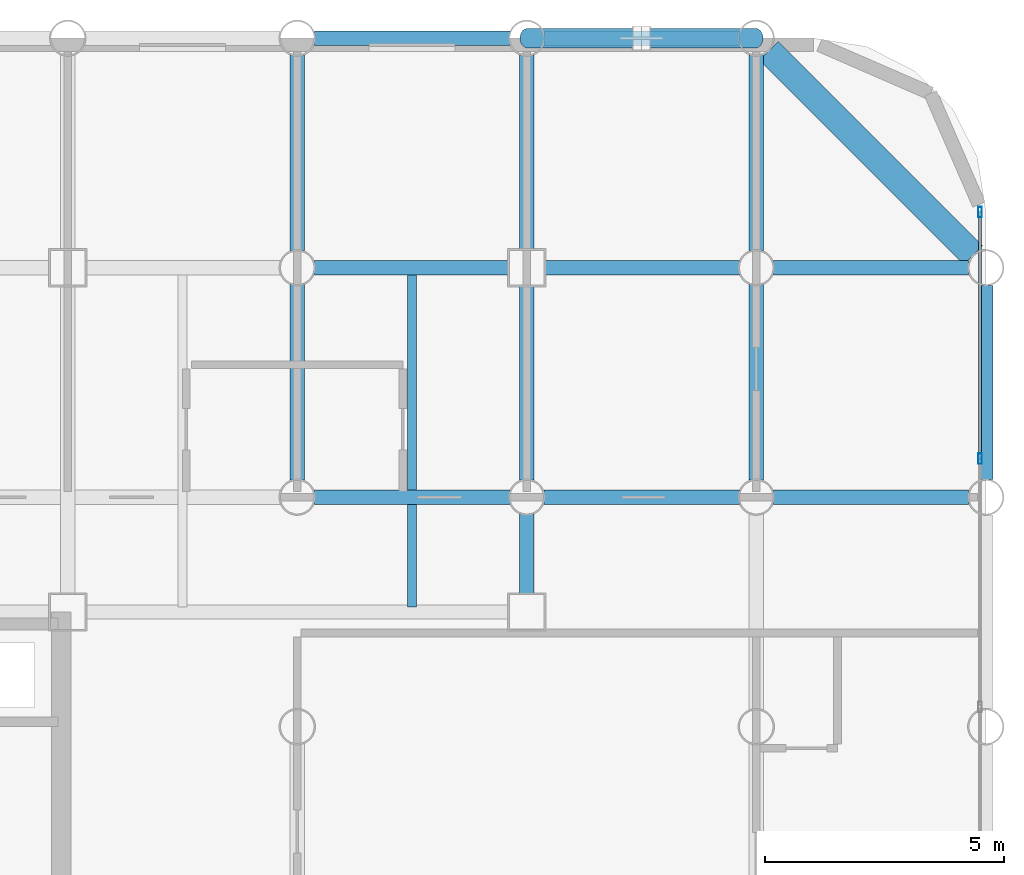
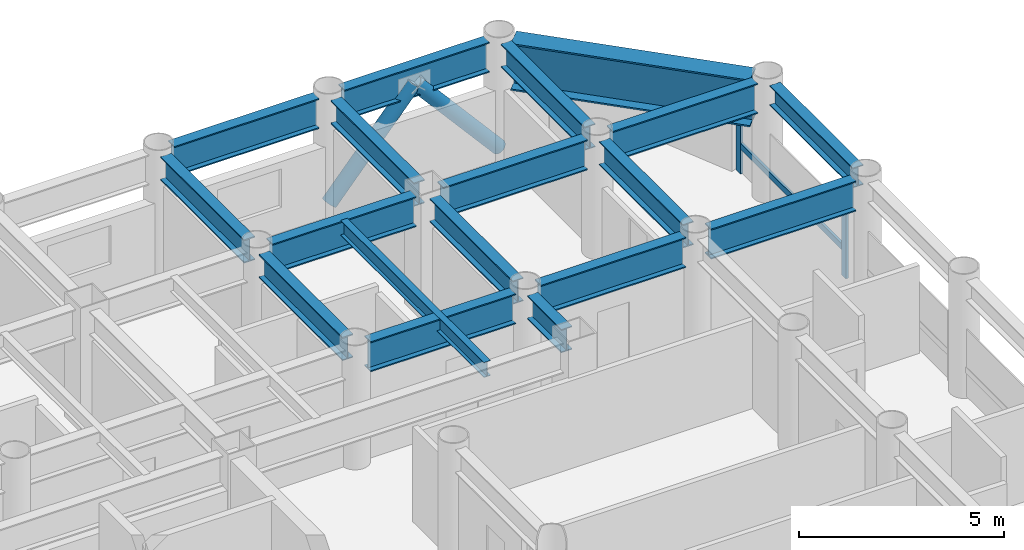
# One storey, part 13 of 20: 18 beams, 5 members, 1 element without a shape of its own.
"""IFC4 building model written with IfcOpenShell, lengths in metres."""

from ifc_helpers import new_model, si_unit, direction, frame, origin, origin_2d, place, context, subcontext, project, spatial, hollow_rectangle, hollow_circle, i_section, extrude, material, layer, layer_set, material_profile, profile_set, type_object, element, aggregate, save


model = new_model("IFC4")

# Units and contexts
model_context = context("Model", 3, precision=1e-05, world=origin(), true_north=direction((0.0, 1.0)))
body_context = subcontext(model_context, "Body", "Model", "MODEL_VIEW")
ifc_project = project(units=[si_unit("LENGTHUNIT", "METRE"), si_unit("AREAUNIT", "SQUARE_METRE"), si_unit("VOLUMEUNIT", "CUBIC_METRE"), si_unit("PLANEANGLEUNIT", "RADIAN"), si_unit("MASSUNIT", "GRAM", prefix="KILO")], contexts=[model_context])

# Site, building, storey
site_placement = place(None, origin())
site = spatial("IfcSite", under=ifc_project, at=site_placement, CompositionType="ELEMENT")
building_placement = place(site_placement, origin())
building = spatial("IfcBuilding", under=site, at=building_placement, Name="Kallvorn Hotel Tower", CompositionType="ELEMENT")
storey_placement = place(building_placement, frame((0.0, 0.0, 78.10009765625)))
storey = spatial("IfcBuildingStorey", under=building, at=storey_placement, Name="L18", CompositionType="ELEMENT", Elevation=78.10009765625)

# Beams
ifc_material_1 = material(Name="Structural steel S355JR", Category="steel")
ifc_material_profile_1 = material_profile(ifc_material_1, i_section(OverallWidth=0.300048828125, OverallDepth=0.60009765625, WebThickness=0.015380859375, FlangeThickness=0.030029296875, at=origin_2d()), Name="HE 600 B")
ifc_profile_set_1 = profile_set([ifc_material_profile_1], Name="Structural steel S355JR")
beam_type_1 = type_object("IfcBeamType", Name="BM_HE600B", PredefinedType="SPANDREL", material=ifc_profile_set_1)
beam_1_placement = place(storey_placement, frame((33.60009765625, 9.970947265625, 3.219970703125), z_axis=(0.0, 1.0, 0.0), x_axis=(-1.0, 0.0, 0.0)))
element("IfcBeam", 1, at=beam_1_placement, inside=storey, type_object=beam_type_1, Name="L19 Perimeter Spandrel 188", PredefinedType="SPANDREL", context=body_context, shape_type="SweptSolid", body=[
    extrude(i_section(OverallWidth=0.300048828125, OverallDepth=0.60009765625, WebThickness=0.015380859375, FlangeThickness=0.030029296875, at=origin_2d()), origin(), (0.0, 0.0, 1.0), 4.05810546875),
])
ifc_material_2 = material(Name="Structural steel S355JR", Category="steel")
ifc_material_profile_2 = material_profile(ifc_material_2, i_section(OverallWidth=0.300048828125, OverallDepth=0.699951171875, WebThickness=0.01708984375, FlangeThickness=0.031982421875, at=origin_2d()), Name="HE 700 B")
ifc_profile_set_2 = profile_set([ifc_material_profile_2], Name="Structural steel S355JR")
beam_type_2 = type_object("IfcBeamType", Name="BM_HE700B", PredefinedType="BEAM", material=ifc_profile_set_2)
for number, where, z_axis, x_axis, name in (
    (2, (19.199951171875, 9.9560546875, 3.169921875), (0.0, 1.0, 0.0), (-1.0, 0.0, 0.0), "L19 Primary Y-Girder 133"),
    (3, (19.199951171875, 14.756103515625, 3.169921875), (0.0, 1.0, 0.0), (-1.0, 0.0, 0.0), "L19 Primary Y-Girder 134"),
):
    element("IfcBeam", number, at=place(storey_placement, frame(where, z_axis=z_axis, x_axis=x_axis)), inside=storey, type_object=beam_type_2, Name=name, PredefinedType="BEAM", context=body_context, shape_type="SweptSolid", body=[
        extrude(i_section(OverallWidth=0.300048828125, OverallDepth=0.699951171875, WebThickness=0.01708984375, FlangeThickness=0.031982421875, at=origin_2d()), origin(), (0.0, 0.0, 1.0), 4.087890625),
    ])
beam_2_placement = place(storey_placement, frame((24.0, 7.574951171875, 3.169921875), z_axis=(0.0, 1.0, 0.0), x_axis=(-1.0, 0.0, 0.0)))
element("IfcBeam", 4, at=beam_2_placement, inside=storey, type_object=beam_type_2, Name="L19 Primary Y-Girder 139", PredefinedType="BEAM", context=body_context, shape_type="SweptSolid", body=[
    extrude(i_section(OverallWidth=0.300048828125, OverallDepth=0.699951171875, WebThickness=0.01708984375, FlangeThickness=0.031982421875, at=origin_2d()), origin(), (0.0, 0.0, 1.0), 1.6689453125),
])
beam_3_placement = place(storey_placement, frame((24.0, 9.9560546875, 3.169921875), z_axis=(0.0, 1.0, 0.0), x_axis=(-1.0, 0.0, 0.0)))
element("IfcBeam", 5, at=beam_3_placement, inside=storey, type_object=beam_type_2, Name="L19 Primary Y-Girder 140", PredefinedType="BEAM", context=body_context, shape_type="SweptSolid", body=[
    extrude(i_section(OverallWidth=0.300048828125, OverallDepth=0.699951171875, WebThickness=0.01708984375, FlangeThickness=0.031982421875, at=origin_2d()), origin(), (0.0, 0.0, 1.0), 4.06884765625),
])
beam_4_placement = place(storey_placement, frame((24.0, 14.77490234375, 3.169921875), z_axis=(0.0, 1.0, 0.0), x_axis=(-1.0, 0.0, 0.0)))
element("IfcBeam", 6, at=beam_4_placement, inside=storey, type_object=beam_type_2, Name="L19 Primary Y-Girder 141", PredefinedType="BEAM", context=body_context, shape_type="SweptSolid", body=[
    extrude(i_section(OverallWidth=0.300048828125, OverallDepth=0.699951171875, WebThickness=0.01708984375, FlangeThickness=0.031982421875, at=origin_2d()), origin(), (0.0, 0.0, 1.0), 4.069091796875),
])
for number, where, z_axis, x_axis, name in (
    (7, (28.800048828125, 9.9560546875, 3.169921875), (0.0, 1.0, 0.0), (-1.0, 0.0, 0.0), "L19 Primary Y-Girder 149"),
    (8, (28.800048828125, 14.756103515625, 3.169921875), (0.0, 1.0, 0.0), (-1.0, 0.0, 0.0), "L19 Primary Y-Girder 150"),
):
    element("IfcBeam", number, at=place(storey_placement, frame(where, z_axis=z_axis, x_axis=x_axis)), inside=storey, type_object=beam_type_2, Name=name, PredefinedType="BEAM", context=body_context, shape_type="SweptSolid", body=[
        extrude(i_section(OverallWidth=0.300048828125, OverallDepth=0.699951171875, WebThickness=0.01708984375, FlangeThickness=0.031982421875, at=origin_2d()), origin(), (0.0, 0.0, 1.0), 4.087890625),
    ])
ifc_material_3 = material(Name="Structural steel S355JR", Category="steel")
ifc_material_profile_3 = material_profile(ifc_material_3, i_section(OverallWidth=0.300048828125, OverallDepth=0.89990234375, WebThickness=0.0185546875, FlangeThickness=0.034912109375, at=origin_2d()), Name="HE 900 B")
ifc_profile_set_3 = profile_set([ifc_material_profile_3], Name="Structural steel S355JR")
beam_type_3 = type_object("IfcBeamType", Name="BM_HE900B", PredefinedType="BEAM", material=ifc_profile_set_3)
for number, where, z_axis, x_axis, name in (
    (9, (19.555908203125, 9.60009765625, 3.06982421875), (1.0, 0.0, 0.0), (0.0, 1.0, 0.0), "L19 Primary X-Girder 48"),
    (10, (24.35595703125, 9.60009765625, 3.06982421875), (1.0, 0.0, 0.0), (0.0, 1.0, 0.0), "L19 Primary X-Girder 49"),
):
    element("IfcBeam", number, at=place(storey_placement, frame(where, z_axis=z_axis, x_axis=x_axis)), inside=storey, type_object=beam_type_3, Name=name, PredefinedType="BEAM", context=body_context, shape_type="SweptSolid", body=[
        extrude(i_section(OverallWidth=0.300048828125, OverallDepth=0.89990234375, WebThickness=0.0185546875, FlangeThickness=0.034912109375, at=origin_2d()), origin(), (0.0, 0.0, 1.0), 4.088134765625),
    ])
beam_5_placement = place(storey_placement, frame((29.156005859375, 9.60009765625, 3.06982421875), z_axis=(1.0, 0.0, 0.0), x_axis=(0.0, 1.0, 0.0)))
element("IfcBeam", 11, at=beam_5_placement, inside=storey, type_object=beam_type_3, Name="L19 Primary X-Girder 50", PredefinedType="BEAM", context=body_context, shape_type="SweptSolid", body=[
    extrude(i_section(OverallWidth=0.300048828125, OverallDepth=0.89990234375, WebThickness=0.0185546875, FlangeThickness=0.034912109375, at=origin_2d()), origin(), (0.0, 0.0, 1.0), 4.087890625),
])
for number, where, z_axis, x_axis, name in (
    (12, (19.555908203125, 14.39990234375, 3.06982421875), (1.0, 0.0, 0.0), (0.0, 1.0, 0.0), "L19 Primary X-Girder 58"),
    (13, (24.375, 14.39990234375, 3.06982421875), (1.0, 0.0, 0.0), (0.0, 1.0, 0.0), "L19 Primary X-Girder 59"),
):
    element("IfcBeam", number, at=place(storey_placement, frame(where, z_axis=z_axis, x_axis=x_axis)), inside=storey, type_object=beam_type_3, Name=name, PredefinedType="BEAM", context=body_context, shape_type="SweptSolid", body=[
        extrude(i_section(OverallWidth=0.300048828125, OverallDepth=0.89990234375, WebThickness=0.0185546875, FlangeThickness=0.034912109375, at=origin_2d()), origin(), (0.0, 0.0, 1.0), 4.069091796875),
    ])
beam_6_placement = place(storey_placement, frame((29.156005859375, 14.39990234375, 3.06982421875), z_axis=(1.0, 0.0, 0.0), x_axis=(0.0, 1.0, 0.0)))
element("IfcBeam", 14, at=beam_6_placement, inside=storey, type_object=beam_type_3, Name="L19 Primary X-Girder 60", PredefinedType="BEAM", context=body_context, shape_type="SweptSolid", body=[
    extrude(i_section(OverallWidth=0.300048828125, OverallDepth=0.89990234375, WebThickness=0.0185546875, FlangeThickness=0.034912109375, at=origin_2d()), origin(), (0.0, 0.0, 1.0), 4.087890625),
])
for number, where, z_axis, x_axis, name in (
    (15, (19.555908203125, 19.199951171875, 3.06982421875), (1.0, 0.0, 0.0), (0.0, 1.0, 0.0), "L19 Primary X-Girder 71"),
    (16, (24.35595703125, 19.199951171875, 3.06982421875), (1.0, 0.0, 0.0), (0.0, 1.0, 0.0), "L19 Primary X-Girder 72"),
):
    element("IfcBeam", number, at=place(storey_placement, frame(where, z_axis=z_axis, x_axis=x_axis)), inside=storey, type_object=beam_type_3, Name=name, PredefinedType="BEAM", context=body_context, shape_type="SweptSolid", body=[
        extrude(i_section(OverallWidth=0.300048828125, OverallDepth=0.89990234375, WebThickness=0.0185546875, FlangeThickness=0.034912109375, at=origin_2d()), origin(), (0.0, 0.0, 1.0), 4.088134765625),
    ])
ifc_material_4 = material(Name="Structural steel S355JR", Category="steel")
ifc_material_profile_4 = material_profile(ifc_material_4, i_section(OverallWidth=0.18994140625, OverallDepth=0.449951171875, WebThickness=0.009521484375, FlangeThickness=0.0146484375, at=origin_2d()), Name="IPE 450")
ifc_profile_set_4 = profile_set([ifc_material_profile_4], Name="Structural steel S355JR")
beam_type_4 = type_object("IfcBeamType", Name="BM_IPE450", PredefinedType="JOIST", material=ifc_profile_set_4)
beam_7_placement = place(storey_placement, frame((21.60009765625, 7.300048828125, 3.294921875), z_axis=(0.0, 1.0, 0.0), x_axis=(-1.0, 0.0, 0.0)))
element("IfcBeam", 17, at=beam_7_placement, inside=storey, type_object=beam_type_4, Name="L19 Secondary Composite Joist 209", PredefinedType="JOIST", context=body_context, shape_type="SweptSolid", body=[
    extrude(i_section(OverallWidth=0.18994140625, OverallDepth=0.449951171875, WebThickness=0.009521484375, FlangeThickness=0.0146484375, at=origin_2d()), origin(), (0.0, 0.0, 1.0), 7.0),
])
ifc_material_5 = material(Name="Structural steel S355JR", Category="steel")
ifc_material_profile_5 = material_profile(ifc_material_5, i_section(OverallWidth=0.550048828125, OverallDepth=1.39990234375, WebThickness=0.02490234375, FlangeThickness=0.044921875, at=origin_2d()), Name="PG 1400x550x25x45")
ifc_profile_set_5 = profile_set([ifc_material_profile_5], Name="Structural steel S355JR")
beam_type_5 = type_object("IfcBeamType", Name="BM_PG_1400", PredefinedType="BEAM", material=ifc_profile_set_5)
beam_8_placement = place(storey_placement, frame((33.337646484375, 14.662353515625, 2.81982421875), z_axis=(-0.707106781187, 0.707106781187, 0.0), x_axis=(-0.707106781187, -0.707106781187, 0.0)))
element("IfcBeam", 18, at=beam_8_placement, inside=storey, type_object=beam_type_5, Name="L19 Rounded Corner Tie Beam 191", PredefinedType="BEAM", context=body_context, shape_type="SweptSolid", body=[
    extrude(i_section(OverallWidth=0.550048828125, OverallDepth=1.39990234375, WebThickness=0.02490234375, FlangeThickness=0.044921875, at=origin_2d()), origin(), (0.0, 0.0, 1.0), 6.04638671875),
])

# Curtain wall, members
ifc_material_6 = material(Name="Thermally broken black-anodised aluminium AA 6063-T6", Category="aluminium")
ifc_layer = layer(ifc_material_6, 0.199951171875)
ifc_layer_set = layer_set([ifc_layer], Name="CW_SYS_3_HOTEL_LOW")
curtain_wall_type = type_object("IfcCurtainWallType", Name="CW_SYS_3_HOTEL_LOW", PredefinedType="USERDEFINED", material=ifc_layer_set)
curtain_wall_placement = place(storey_placement, origin())
curtain_wall = element("IfcCurtainWall", 19, at=curtain_wall_placement, inside=storey, type_object=curtain_wall_type, Name="L18 Dark-Glass Curtain Wall CW-L18-EN", ObjectType="UNITISED CURTAIN WALL", PredefinedType="USERDEFINED")
ifc_material_7 = material(Name="Thermally broken black-anodised aluminium AA 6063-T6", Category="aluminium")
ifc_material_profile_6 = material_profile(ifc_material_7, hollow_rectangle(XDim=0.080078125, YDim=0.219970703125, WallThickness=0.0048828125, at=origin_2d()), Name="MUL 220x80")
ifc_profile_set_6 = profile_set([ifc_material_profile_6], Name="Thermally broken black-anodised aluminium AA 6063-T6")
member_type_1 = type_object("IfcMemberType", Name="CW_MULLION_220x80", PredefinedType="MULLION", material=ifc_profile_set_6)
member_1_placement = place(storey_placement, frame((33.47998046875, 10.40673828125, 0.02001953125), z_axis=(0.0, 0.0, 1.0), x_axis=(1.0, 0.0, 0.0)))
member_1 = element("IfcMember", 20, at=member_1_placement, type_object=member_type_1, Name="CW-L18-EN Mullion 02", PredefinedType="MULLION", context=body_context, shape_type="SweptSolid", body=[
    extrude(hollow_rectangle(XDim=0.080078125, YDim=0.219970703125, WallThickness=0.0048828125, at=origin_2d()), origin(), (0.0, 0.0, 1.0), 2.079833984375),
])
member_2_placement = place(storey_placement, frame((33.47998046875, 15.56005859375, 0.02001953125), z_axis=(0.0, 0.0, 1.0), x_axis=(1.0, 0.0, 0.0)))
member_2 = element("IfcMember", 21, at=member_2_placement, type_object=member_type_1, Name="CW-L18-EN Mullion 03", PredefinedType="MULLION", context=body_context, shape_type="SweptSolid", body=[
    extrude(hollow_rectangle(XDim=0.080078125, YDim=0.219970703125, WallThickness=0.0048828125, at=origin_2d()), origin(), (0.0, 0.0, 1.0), 2.079833984375),
])
ifc_material_8 = material(Name="Thermally broken black-anodised aluminium AA 6063-T6", Category="aluminium")
ifc_material_profile_7 = material_profile(ifc_material_8, hollow_rectangle(XDim=0.070068359375, YDim=0.179931640625, WallThickness=0.00390625, at=origin_2d()), Name="TRN 180x70")
ifc_profile_set_7 = profile_set([ifc_material_profile_7], Name="Thermally broken black-anodised aluminium AA 6063-T6")
member_type_2 = type_object("IfcMemberType", Name="CW_TRANSOM_180x70", PredefinedType="USERDEFINED", material=ifc_profile_set_7)
member_3_placement = place(storey_placement, frame((33.47998046875, 10.44677734375, 0.849853515625), z_axis=(0.0, 1.0, 0.0), x_axis=(-1.0, 0.0, 0.0)))
member_3 = element("IfcMember", 22, at=member_3_placement, type_object=member_type_2, Name="CW-L18-EN Transom 02M", ObjectType="TRANSOM", PredefinedType="USERDEFINED", context=body_context, shape_type="SweptSolid", body=[
    extrude(hollow_rectangle(XDim=0.070068359375, YDim=0.179931640625, WallThickness=0.00390625, at=origin_2d()), origin(), (0.0, 0.0, 1.0), 5.11328125),
])
aggregate(curtain_wall, [member_1, member_2, member_3])

# Members
ifc_material_9 = material(Name="Structural steel S355J2H", Category="steel")
ifc_material_profile_8 = material_profile(ifc_material_9, hollow_circle(Radius=0.203125, WallThickness=0.01611328125, at=origin_2d()), Name="CHS 406.4x16")
ifc_profile_set_8 = profile_set([ifc_material_profile_8], Name="Structural steel S355J2H")
member_type_3 = type_object("IfcMemberType", Name="MBR_EXO_CHS406", PredefinedType="BRACE", material=ifc_profile_set_8)
for number, where, z_axis, x_axis, name in (
    (23, (24.01318359375, 19.199951171875, 0.195068359375), (0.65346062529, 0.0, 0.756960508346), (0.0, 1.0, 0.0), "L18 Exoskeleton K-Brace N2A"),
    (24, (28.786865234375, 19.199951171875, 0.195068359375), (-0.65346062529, 0.0, 0.756960508346), (0.0, -1.0, 0.0), "L18 Exoskeleton K-Brace N2B"),
):
    element("IfcMember", number, at=place(storey_placement, frame(where, z_axis=z_axis, x_axis=x_axis)), inside=storey, type_object=member_type_3, Name=name, PredefinedType="BRACE", context=body_context, shape_type="SweptSolid", body=[
        extrude(hollow_circle(Radius=0.203125, WallThickness=0.01611328125, at=origin_2d()), origin(), (0.0, 0.0, 1.0), 3.632568359375),
    ])

save(model, "model.ifc")
